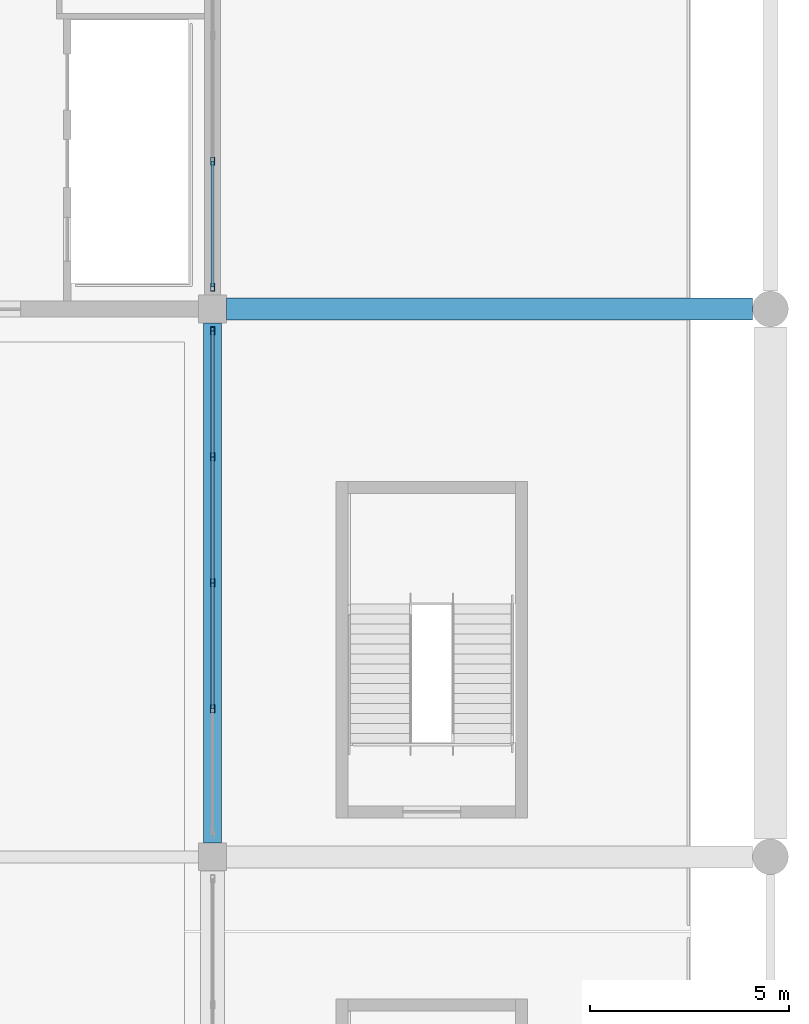
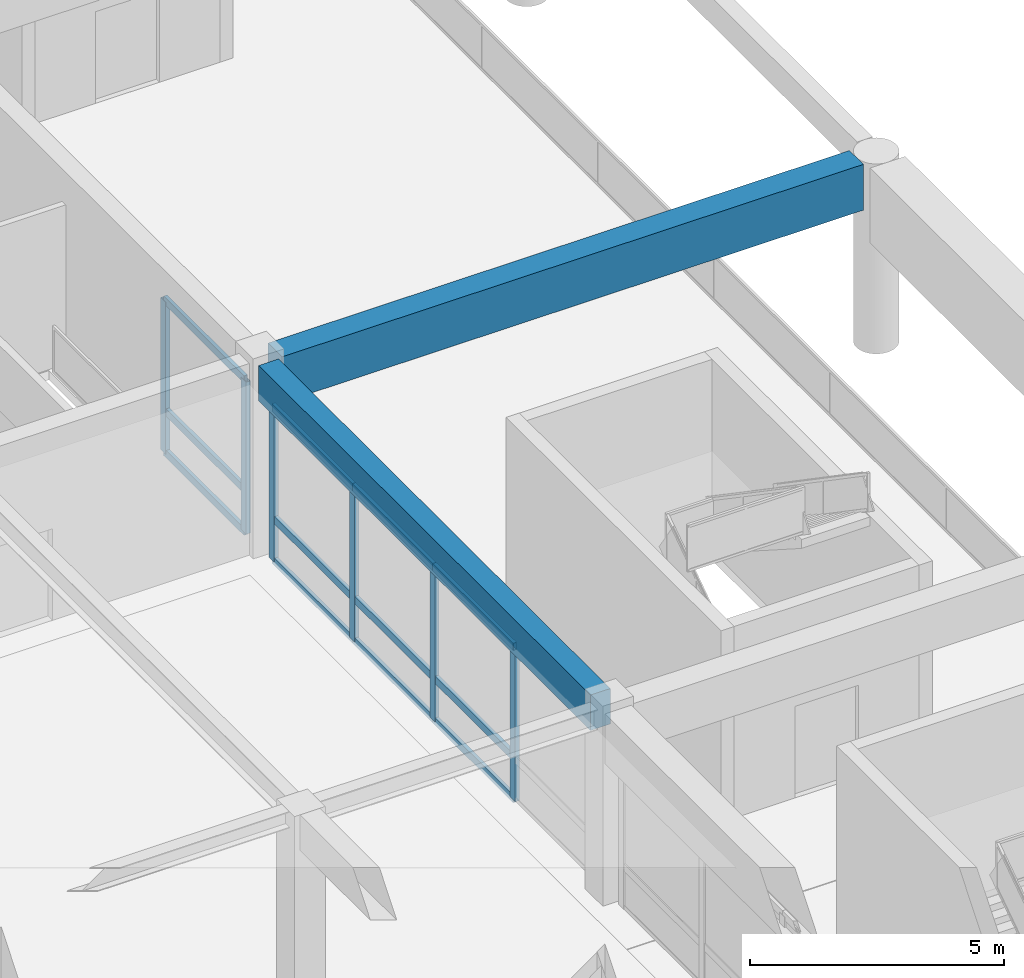
# One storey, part 37 of 94: 18 members, 2 beams, 2 elements without a shape of their own.
"""IFC4 building model written with IfcOpenShell, lengths in metres."""

from ifc_helpers import new_model, si_unit, direction, frame, origin, origin_2d, place, context, subcontext, project, spatial, rectangle, hollow_rectangle, extrude, material, material_profile, profile_set, type_object, element, aggregate, save


model = new_model("IFC4")

# Units and contexts
model_context = context("Model", 3, precision=1e-05, world=origin(), true_north=direction((0.0, 1.0)))
body_context = subcontext(model_context, "Body", "Model", "MODEL_VIEW")
ifc_project = project(units=[si_unit("LENGTHUNIT", "METRE"), si_unit("AREAUNIT", "SQUARE_METRE"), si_unit("VOLUMEUNIT", "CUBIC_METRE"), si_unit("PLANEANGLEUNIT", "RADIAN"), si_unit("MASSUNIT", "GRAM", prefix="KILO")], contexts=[model_context])

# Site, building, storey
site_placement = place(None, origin())
site = spatial("IfcSite", under=ifc_project, at=site_placement, CompositionType="ELEMENT")
building_placement = place(site_placement, origin())
building = spatial("IfcBuilding", under=site, at=building_placement, Name="Linyun Crest Stadium", CompositionType="ELEMENT")
storey_placement = place(building_placement, frame((0.0, 0.0, 16.199951171875)))
storey = spatial("IfcBuildingStorey", under=building, at=storey_placement, Name="L04", CompositionType="ELEMENT", Elevation=16.199951171875)

# Beam
ifc_material_1 = material(Name="Concrete C40", Category="concrete")
ifc_material_profile_1 = material_profile(ifc_material_1, rectangle(XDim=0.449951171875, YDim=0.85009765625, at=origin_2d()), Name="RCB 850x450")
ifc_profile_set_1 = profile_set([ifc_material_profile_1], Name="Concrete C40")
beam_type_1 = type_object("IfcBeamType", Name="B04", PredefinedType="BEAM", material=ifc_profile_set_1)
beam_1_placement = place(storey_placement, frame((84.0, -11.27490234375, 4.175048828125), z_axis=(0.0, 1.0, 0.0), x_axis=(-1.0, 0.0, 0.0)))
element("IfcBeam", 1, at=beam_1_placement, inside=storey, type_object=beam_type_1, Name="Frame beam B04 L04 719", PredefinedType="BEAM", context=body_context, shape_type="SweptSolid", body=[
    extrude(rectangle(XDim=0.449951171875, YDim=0.85009765625, at=origin_2d()), origin(), (0.0, 0.0, 1.0), 13.0498046875),
])

# Curtain wall, members
ifc_material_2 = material(Name="Verdigris steel and low-E curtain wall assembly", Category="steel")
curtain_wall_type = type_object("IfcCurtainWallType", Name="MCW06", PredefinedType="NOTDEFINED", material=ifc_material_2)
curtain_wall_1_placement = place(storey_placement, origin())
curtain_wall_1 = element("IfcCurtainWall", 2, at=curtain_wall_1_placement, inside=storey, type_object=curtain_wall_type, Name="CWR-098", PredefinedType="NOTDEFINED")
ifc_material_3 = material(Name="Verdigris painted steel Q355C mullion", Category="steel")
ifc_material_profile_2 = material_profile(ifc_material_3, hollow_rectangle(XDim=0.10009765625, YDim=0.199951171875, WallThickness=0.008056640625, at=origin_2d()), Name="RHS 200x100x8")
ifc_profile_set_2 = profile_set([ifc_material_profile_2], Name="Verdigris painted steel Q355C mullion")
member_type_1 = type_object("IfcMemberType", Name="ML03", PredefinedType="MULLION", material=ifc_profile_set_2)
member_1_placement = place(storey_placement, frame((84.0, -7.912109375, 0.0), z_axis=(0.0, 0.0, 1.0), x_axis=(-1.0, 0.0, 0.0)))
member_1 = element("IfcMember", 3, at=member_1_placement, type_object=member_type_1, Name="CWR-098 mullion 2", PredefinedType="MULLION", context=body_context, shape_type="SweptSolid", body=[
    extrude(hollow_rectangle(XDim=0.10009765625, YDim=0.199951171875, WallThickness=0.008056640625, at=origin_2d()), origin(), (0.0, 0.0, 1.0), 3.650146484375),
])
member_2_placement = place(storey_placement, frame((84.0, -4.75, 0.0), z_axis=(0.0, 0.0, 1.0), x_axis=(-1.0, 0.0, 0.0)))
member_2 = element("IfcMember", 4, at=member_2_placement, type_object=member_type_1, Name="CWR-098 mullion 3", PredefinedType="MULLION", context=body_context, shape_type="SweptSolid", body=[
    extrude(hollow_rectangle(XDim=0.10009765625, YDim=0.199951171875, WallThickness=0.008056640625, at=origin_2d()), origin(), (0.0, 0.0, 1.0), 3.650146484375),
])
member_3_placement = place(storey_placement, frame((84.0, -1.587890625, 0.0), z_axis=(0.0, 0.0, 1.0), x_axis=(-1.0, 0.0, 0.0)))
member_3 = element("IfcMember", 5, at=member_3_placement, type_object=member_type_1, Name="CWR-098 mullion 4", PredefinedType="MULLION", context=body_context, shape_type="SweptSolid", body=[
    extrude(hollow_rectangle(XDim=0.10009765625, YDim=0.199951171875, WallThickness=0.008056640625, at=origin_2d()), origin(), (0.0, 0.0, 1.0), 3.650146484375),
])
member_4_placement = place(storey_placement, frame((84.0, 1.574951171875, 0.0), z_axis=(0.0, 0.0, 1.0), x_axis=(-1.0, 0.0, 0.0)))
member_4 = element("IfcMember", 6, at=member_4_placement, type_object=member_type_1, Name="CWR-098 mullion 5", PredefinedType="MULLION", context=body_context, shape_type="SweptSolid", body=[
    extrude(hollow_rectangle(XDim=0.10009765625, YDim=0.199951171875, WallThickness=0.008056640625, at=origin_2d()), origin(), (0.0, 0.0, 1.0), 3.650146484375),
])

curtain_wall_2_placement = place(storey_placement, origin())
curtain_wall_2 = element("IfcCurtainWall", 7, at=curtain_wall_2_placement, inside=storey, type_object=curtain_wall_type, Name="CWR-107", PredefinedType="NOTDEFINED")
member_5_placement = place(storey_placement, frame((84.0, 2.675048828125, 0.0), z_axis=(0.0, 0.0, 1.0), x_axis=(-1.0, 0.0, 0.0)))
member_5 = element("IfcMember", 8, at=member_5_placement, type_object=member_type_1, Name="CWR-107 mullion 1", PredefinedType="MULLION", context=body_context, shape_type="SweptSolid", body=[
    extrude(hollow_rectangle(XDim=0.10009765625, YDim=0.199951171875, WallThickness=0.008056640625, at=origin_2d()), origin(), (0.0, 0.0, 1.0), 3.650146484375),
])
member_6_placement = place(storey_placement, frame((84.0, 5.8369140625, 0.0), z_axis=(0.0, 0.0, 1.0), x_axis=(-1.0, 0.0, 0.0)))
member_6 = element("IfcMember", 9, at=member_6_placement, type_object=member_type_1, Name="CWR-107 mullion 2", PredefinedType="MULLION", context=body_context, shape_type="SweptSolid", body=[
    extrude(hollow_rectangle(XDim=0.10009765625, YDim=0.199951171875, WallThickness=0.008056640625, at=origin_2d()), origin(), (0.0, 0.0, 1.0), 3.650146484375),
])

# Beam
ifc_material_4 = material(Name="Concrete C50", Category="concrete")
ifc_material_profile_3 = material_profile(ifc_material_4, rectangle(XDim=0.550048828125, YDim=1.10009765625, at=origin_2d()), Name="RCB 1100x550")
ifc_profile_set_3 = profile_set([ifc_material_profile_3], Name="Concrete C50")
beam_type_2 = type_object("IfcBeamType", Name="TB01", PredefinedType="USERDEFINED", material=ifc_profile_set_3)
beam_2_placement = place(storey_placement, frame((84.35009765625, 2.125, 4.010009765625), z_axis=(1.0, 0.0, 0.0), x_axis=(0.0, 1.0, 0.0)))
element("IfcBeam", 10, at=beam_2_placement, inside=storey, type_object=beam_type_2, Name="Frame beam TB01 L04 690", ObjectType="GIRDER", PredefinedType="USERDEFINED", context=body_context, shape_type="SweptSolid", body=[
    extrude(rectangle(XDim=0.550048828125, YDim=1.10009765625, at=origin_2d()), origin(), (0.0, 0.0, 1.0), 13.199951171875),
])

# Member
ifc_material_5 = material(Name="Verdigris painted steel Q355B transom", Category="steel")
ifc_material_profile_4 = material_profile(ifc_material_5, hollow_rectangle(XDim=0.080078125, YDim=0.179931640625, WallThickness=0.006103515625, at=origin_2d()), Name="RHS 180x80x6")
ifc_profile_set_4 = profile_set([ifc_material_profile_4], Name="Verdigris painted steel Q355B transom")
member_type_2 = type_object("IfcMemberType", Name="TR02", PredefinedType="USERDEFINED", material=ifc_profile_set_4)
member_7_placement = place(storey_placement, frame((84.0, -7.912109375, 0.0), z_axis=(0.0, 1.0, 0.0), x_axis=(-1.0, 0.0, 0.0)))
member_7 = element("IfcMember", 11, at=member_7_placement, type_object=member_type_2, Name="CWR-098 transom 2.1", ObjectType="TRANSOM", PredefinedType="USERDEFINED", context=body_context, shape_type="SweptSolid", body=[
    extrude(hollow_rectangle(XDim=0.080078125, YDim=0.179931640625, WallThickness=0.006103515625, at=origin_2d()), origin(), (0.0, 0.0, 1.0), 3.162109375),
])

member_8_placement = place(storey_placement, frame((84.0, -7.912109375, 1.0), z_axis=(0.0, 1.0, 0.0), x_axis=(-1.0, 0.0, 0.0)))
member_8 = element("IfcMember", 12, at=member_8_placement, type_object=member_type_2, Name="CWR-098 transom 2.2", ObjectType="TRANSOM", PredefinedType="USERDEFINED", context=body_context, shape_type="SweptSolid", body=[
    extrude(hollow_rectangle(XDim=0.080078125, YDim=0.179931640625, WallThickness=0.006103515625, at=origin_2d()), origin(), (0.0, 0.0, 1.0), 3.162109375),
])

member_9_placement = place(storey_placement, frame((84.0, -7.912109375, 3.650146484375), z_axis=(0.0, 1.0, 0.0), x_axis=(-1.0, 0.0, 0.0)))
member_9 = element("IfcMember", 13, at=member_9_placement, type_object=member_type_2, Name="CWR-098 transom 2.3", ObjectType="TRANSOM", PredefinedType="USERDEFINED", context=body_context, shape_type="SweptSolid", body=[
    extrude(hollow_rectangle(XDim=0.080078125, YDim=0.179931640625, WallThickness=0.006103515625, at=origin_2d()), origin(), (0.0, 0.0, 1.0), 3.162109375),
])

member_10_placement = place(storey_placement, frame((84.0, -4.75, 0.0), z_axis=(0.0, 1.0, 0.0), x_axis=(-1.0, 0.0, 0.0)))
member_10 = element("IfcMember", 14, at=member_10_placement, type_object=member_type_2, Name="CWR-098 transom 3.1", ObjectType="TRANSOM", PredefinedType="USERDEFINED", context=body_context, shape_type="SweptSolid", body=[
    extrude(hollow_rectangle(XDim=0.080078125, YDim=0.179931640625, WallThickness=0.006103515625, at=origin_2d()), origin(), (0.0, 0.0, 1.0), 3.162109375),
])

member_11_placement = place(storey_placement, frame((84.0, -4.75, 1.0), z_axis=(0.0, 1.0, 0.0), x_axis=(-1.0, 0.0, 0.0)))
member_11 = element("IfcMember", 15, at=member_11_placement, type_object=member_type_2, Name="CWR-098 transom 3.2", ObjectType="TRANSOM", PredefinedType="USERDEFINED", context=body_context, shape_type="SweptSolid", body=[
    extrude(hollow_rectangle(XDim=0.080078125, YDim=0.179931640625, WallThickness=0.006103515625, at=origin_2d()), origin(), (0.0, 0.0, 1.0), 3.162109375),
])

member_12_placement = place(storey_placement, frame((84.0, -4.75, 3.650146484375), z_axis=(0.0, 1.0, 0.0), x_axis=(-1.0, 0.0, 0.0)))
member_12 = element("IfcMember", 16, at=member_12_placement, type_object=member_type_2, Name="CWR-098 transom 3.3", ObjectType="TRANSOM", PredefinedType="USERDEFINED", context=body_context, shape_type="SweptSolid", body=[
    extrude(hollow_rectangle(XDim=0.080078125, YDim=0.179931640625, WallThickness=0.006103515625, at=origin_2d()), origin(), (0.0, 0.0, 1.0), 3.162109375),
])

member_13_placement = place(storey_placement, frame((84.0, -1.587890625, 0.0), z_axis=(0.0, 1.0, 0.0), x_axis=(-1.0, 0.0, 0.0)))
member_13 = element("IfcMember", 17, at=member_13_placement, type_object=member_type_2, Name="CWR-098 transom 4.1", ObjectType="TRANSOM", PredefinedType="USERDEFINED", context=body_context, shape_type="SweptSolid", body=[
    extrude(hollow_rectangle(XDim=0.080078125, YDim=0.179931640625, WallThickness=0.006103515625, at=origin_2d()), origin(), (0.0, 0.0, 1.0), 3.162841796875),
])

member_14_placement = place(storey_placement, frame((84.0, -1.587890625, 1.0), z_axis=(0.0, 1.0, 0.0), x_axis=(-1.0, 0.0, 0.0)))
member_14 = element("IfcMember", 18, at=member_14_placement, type_object=member_type_2, Name="CWR-098 transom 4.2", ObjectType="TRANSOM", PredefinedType="USERDEFINED", context=body_context, shape_type="SweptSolid", body=[
    extrude(hollow_rectangle(XDim=0.080078125, YDim=0.179931640625, WallThickness=0.006103515625, at=origin_2d()), origin(), (0.0, 0.0, 1.0), 3.162841796875),
])

member_15_placement = place(storey_placement, frame((84.0, -1.587890625, 3.650146484375), z_axis=(0.0, 1.0, 0.0), x_axis=(-1.0, 0.0, 0.0)))
member_15 = element("IfcMember", 19, at=member_15_placement, type_object=member_type_2, Name="CWR-098 transom 4.3", ObjectType="TRANSOM", PredefinedType="USERDEFINED", context=body_context, shape_type="SweptSolid", body=[
    extrude(hollow_rectangle(XDim=0.080078125, YDim=0.179931640625, WallThickness=0.006103515625, at=origin_2d()), origin(), (0.0, 0.0, 1.0), 3.162841796875),
])

aggregate(curtain_wall_1, [member_1, member_2, member_3, member_4, member_7, member_8, member_9, member_10, member_11, member_12, member_13, member_14, member_15])

member_16_placement = place(storey_placement, frame((84.0, 2.675048828125, 0.0), z_axis=(0.0, 1.0, 0.0), x_axis=(-1.0, 0.0, 0.0)))
member_16 = element("IfcMember", 20, at=member_16_placement, type_object=member_type_2, Name="CWR-107 transom 1.1", ObjectType="TRANSOM", PredefinedType="USERDEFINED", context=body_context, shape_type="SweptSolid", body=[
    extrude(hollow_rectangle(XDim=0.080078125, YDim=0.179931640625, WallThickness=0.006103515625, at=origin_2d()), origin(), (0.0, 0.0, 1.0), 3.161865234375),
])

member_17_placement = place(storey_placement, frame((84.0, 2.675048828125, 1.0), z_axis=(0.0, 1.0, 0.0), x_axis=(-1.0, 0.0, 0.0)))
member_17 = element("IfcMember", 21, at=member_17_placement, type_object=member_type_2, Name="CWR-107 transom 1.2", ObjectType="TRANSOM", PredefinedType="USERDEFINED", context=body_context, shape_type="SweptSolid", body=[
    extrude(hollow_rectangle(XDim=0.080078125, YDim=0.179931640625, WallThickness=0.006103515625, at=origin_2d()), origin(), (0.0, 0.0, 1.0), 3.161865234375),
])

member_18_placement = place(storey_placement, frame((84.0, 2.675048828125, 3.650146484375), z_axis=(0.0, 1.0, 0.0), x_axis=(-1.0, 0.0, 0.0)))
member_18 = element("IfcMember", 22, at=member_18_placement, type_object=member_type_2, Name="CWR-107 transom 1.3", ObjectType="TRANSOM", PredefinedType="USERDEFINED", context=body_context, shape_type="SweptSolid", body=[
    extrude(hollow_rectangle(XDim=0.080078125, YDim=0.179931640625, WallThickness=0.006103515625, at=origin_2d()), origin(), (0.0, 0.0, 1.0), 3.161865234375),
])

aggregate(curtain_wall_2, [member_5, member_6, member_16, member_17, member_18])

save(model, "model.ifc")
